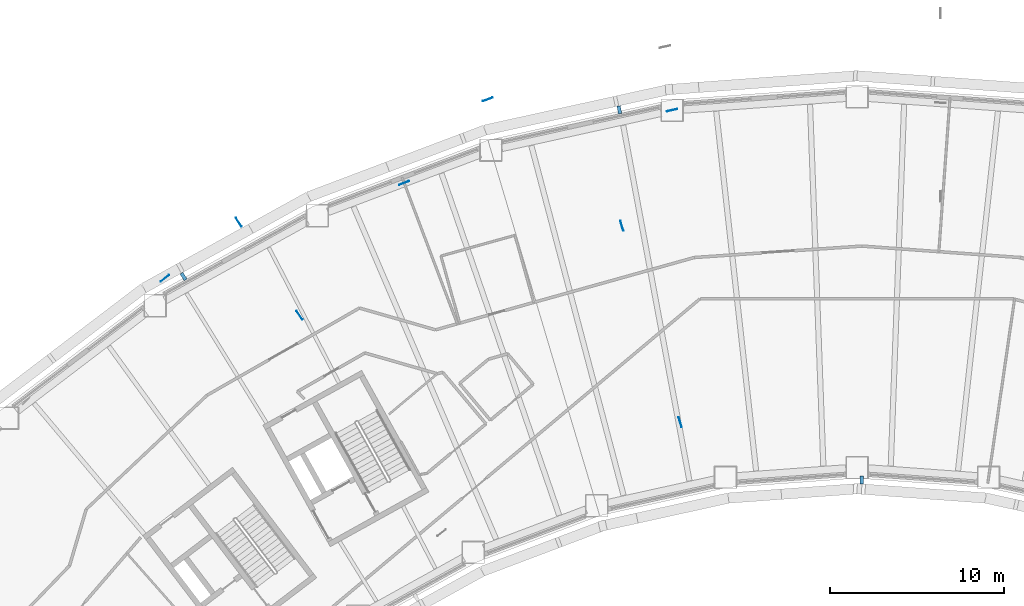
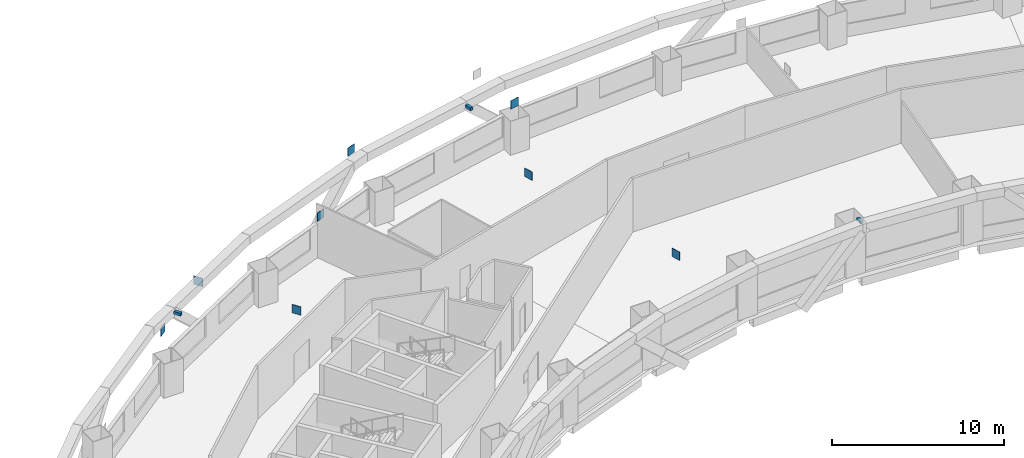
# One storey, part 11 of 19: 11 discrete accessories.
"""IFC4 building model written with IfcOpenShell, lengths in metres."""

from ifc_helpers import new_model, si_unit, direction, frame, origin, origin_2d, place, context, subcontext, project, spatial, rectangle, extrude, material, type_object, element, save


model = new_model("IFC4")

# Units and contexts
model_context = context("Model", 3, precision=1e-05, world=origin(), true_north=direction((0.0, 1.0)))
body_context = subcontext(model_context, "Body", "Model", "MODEL_VIEW")
ifc_project = project(units=[si_unit("LENGTHUNIT", "METRE"), si_unit("AREAUNIT", "SQUARE_METRE"), si_unit("VOLUMEUNIT", "CUBIC_METRE"), si_unit("PLANEANGLEUNIT", "RADIAN"), si_unit("MASSUNIT", "GRAM", prefix="KILO")], contexts=[model_context])

# Site, building, storey
site_placement = place(None, origin())
site = spatial("IfcSite", under=ifc_project, at=site_placement, CompositionType="ELEMENT")
building_placement = place(site_placement, origin())
building = spatial("IfcBuilding", under=site, at=building_placement, Name="Tuul Gate Civic Tower", CompositionType="ELEMENT")
storey_placement = place(building_placement, frame((0.0, 0.0, 56.699951171875)))
storey = spatial("IfcBuildingStorey", under=building, at=storey_placement, Name="Level 12", CompositionType="ELEMENT", Elevation=56.699951171875)

# Discrete accessories
ifc_material_1 = material(Name="Steel S355", Category="steel")
discrete_accessory_type_1 = type_object("IfcDiscreteAccessoryType", Name="Gusset plate", PredefinedType="BRACKET", material=ifc_material_1)
for number, where, z_axis, x_axis, name in (
    (1, (-13.539794921875, 6.46923828125, 2.796875), (0.0, 0.0, 1.0), (-0.285224909945, 0.958460615126, 0.0), "Gusset plate"),
    (2, (-10.178466796875, -4.833251953125, 2.797119140625), (0.0, 0.0, 1.0), (-0.285224909945, 0.958460615126, 0.0), "Gusset plate"),
    (3, (-35.59619140625, 6.683837890625, 2.796142578125), (0.0, 0.0, 1.0), (0.54674333885, -0.837300257627, 0.0), "Gusset plate"),
    (4, (-32.093994140625, 1.32421875, 2.79638671875), (0.0, 0.0, 1.0), (-0.54674333885, 0.837300257627, 0.0), "Gusset plate"),
    (5, (-10.649169921875, 13.127197265625, 2.796630859375), (0.0, 0.0, 1.0), (-0.97656894253, -0.215204787319, 0.0), "Gusset plate"),
    (6, (-26.070556640625, 8.9404296875, 2.796630859375), (0.0, 0.0, 1.0), (0.935344056956, 0.35373930389, 0.0), "Gusset plate"),
    (7, (-39.841552734375, 3.449951171875, 2.796630859375), (0.0, 0.0, 1.0), (0.795629478909, 0.605783568852, 0.0), "Gusset plate"),
    (8, (-21.261474609375, 13.7490234375, 2.796630859375), (0.0, 0.0, 1.0), (0.93537504025, 0.353657368194, 0.0), "Gusset plate"),
):
    element("IfcDiscreteAccessory", number, at=place(storey_placement, frame(where, z_axis=z_axis, x_axis=x_axis)), inside=storey, type_object=discrete_accessory_type_1, Name=name, PredefinedType="BRACKET", context=body_context, shape_type="SweptSolid", body=[
        extrude(rectangle(XDim=0.60009765625, YDim=0.030029296875, at=origin_2d()), origin(), (0.0, 0.0, 1.0), 0.60009765625),
    ])
ifc_material_2 = material(Name="Stainless steel", Category="steel")
discrete_accessory_type_2 = type_object("IfcDiscreteAccessoryType", Name="Screen bracket", PredefinedType="BRACKET", material=ifc_material_2)
discrete_accessory_1_placement = place(storey_placement, frame((-13.68212890625, 13.14990234375, 3.75), z_axis=(0.0, 0.0, 1.0), x_axis=(-0.183891306166, 0.982946584264, 0.0)))
element("IfcDiscreteAccessory", 9, at=discrete_accessory_1_placement, inside=storey, type_object=discrete_accessory_type_2, Name="Screen bracket 11", PredefinedType="BRACKET", context=body_context, shape_type="SweptSolid", body=[
    extrude(rectangle(XDim=0.4501953125, YDim=0.199951171875, at=origin_2d()), origin(), (0.0, 0.0, 1.0), 0.199951171875),
])
discrete_accessory_2_placement = place(storey_placement, frame((-38.766845703125, 3.554443359375, 3.75), z_axis=(0.0, 0.0, 1.0), x_axis=(-0.520739965229, 0.853715344019, 0.0)))
element("IfcDiscreteAccessory", 10, at=discrete_accessory_2_placement, inside=storey, type_object=discrete_accessory_type_2, Name="Screen bracket 14", PredefinedType="BRACKET", context=body_context, shape_type="SweptSolid", body=[
    extrude(rectangle(XDim=0.450439453125, YDim=0.199951171875, at=origin_2d()), origin(), (0.0, 0.0, 1.0), 0.199951171875),
])
discrete_accessory_3_placement = place(storey_placement, frame((0.264892578125, -8.15380859375, 3.75), z_axis=(0.0, 0.0, 1.0), x_axis=(-0.0051085565, -0.99998695124, 0.0)))
element("IfcDiscreteAccessory", 11, at=discrete_accessory_3_placement, inside=storey, type_object=discrete_accessory_type_2, Name="Screen bracket 26", PredefinedType="BRACKET", context=body_context, shape_type="SweptSolid", body=[
    extrude(rectangle(XDim=0.450927734375, YDim=0.199951171875, at=origin_2d()), origin(), (0.0, 0.0, 1.0), 0.199951171875),
])

save(model, "model.ifc")
